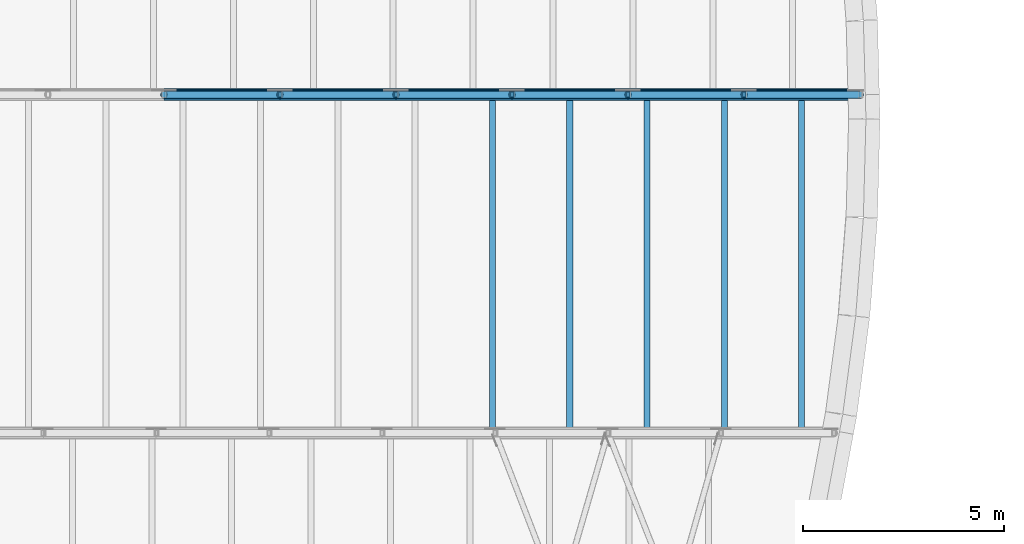
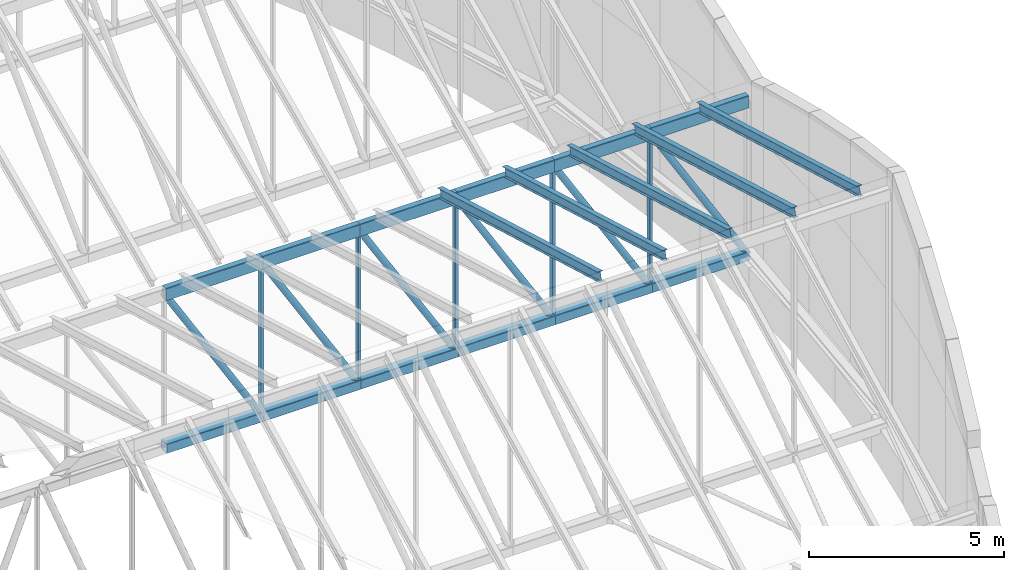
# One storey, part 25 of 68: 16 members, 12 beams.
"""IFC4 building model written with IfcOpenShell, lengths in metres."""

import ifcopenshell
import ifcopenshell.guid

model = None  # the IFC model being written
_history = None  # IfcOwnerHistory: only IFC2X3 demands one
_inside = {}  # id of a spatial element -> (the spatial element, [elements in it])
_under = {}  # id of a project, library or spatial element -> (it, [spatial elements below it])
_declared = {}  # id of a project -> (the project, [libraries it declares])
_typed = {}  # id of a type object -> (the type object, [elements of that type])
_made_of = {}  # id of a material, layer set ... -> (it, [elements and type objects made of it])


def new_model(schema):
    """Start an empty IFC model of exactly this schema.

    Asked for "IFC4X3", IfcOpenShell would pick the latest addendum, in which some entities
    have other attributes; the version numbers below select the first issue.
    IFC2X3 requires an IfcOwnerHistory on every rooted entity: one is made here for all.
    """
    global model, _history
    if schema == "IFC4X3":
        model = ifcopenshell.file(schema_version=(4, 3, 0, 0))
    else:
        model = ifcopenshell.file(schema=schema)
    _inside.clear()
    _under.clear()
    _declared.clear()
    _typed.clear()
    _made_of.clear()
    _history = None
    if model.schema == "IFC2X3":
        org = make("IfcOrganization", Name="unknown")
        user = make(
            "IfcPersonAndOrganization",
            ThePerson=make("IfcPerson", FamilyName="unknown"),
            TheOrganization=org,
        )
        app = make(
            "IfcApplication",
            ApplicationDeveloper=org,
            Version="unknown",
            ApplicationFullName="unknown",
            ApplicationIdentifier="unknown",
        )
        _history = make(
            "IfcOwnerHistory",
            OwningUser=user,
            OwningApplication=app,
            ChangeAction="ADDED",
            CreationDate=0,
        )
    return model


def make(cls, **values):
    """One entity of the class cls with the attributes given. An attribute that is None is left unset."""
    return model.create_entity(
        cls, **{name: value for name, value in values.items() if value is not None}
    )


def rooted(cls, **values):
    """An entity with a GlobalId (a new one), such as an element, a storey or a relation."""
    return make(cls, GlobalId=ifcopenshell.guid.new(), OwnerHistory=_history, **values)


def si_unit(unit_type, name, prefix=None):
    """IfcSIUnit, for example si_unit("LENGTHUNIT", "METRE", prefix="MILLI")."""
    return make("IfcSIUnit", UnitType=unit_type, Prefix=prefix, Name=name)


def assignment(units):
    """IfcUnitAssignment: the units of a project."""
    return None if units is None else make("IfcUnitAssignment", Units=units)


def point(xyz):
    """IfcCartesianPoint."""
    return None if xyz is None else make("IfcCartesianPoint", Coordinates=xyz)


def direction(xyz):
    """IfcDirection."""
    return None if xyz is None else make("IfcDirection", DirectionRatios=xyz)


def frame(location, z_axis=None, x_axis=None):
    """IfcAxis2Placement3D, a coordinate frame: its origin and axes. An axis left out is left unset."""
    return make(
        "IfcAxis2Placement3D",
        Location=point(location),
        Axis=direction(z_axis),
        RefDirection=direction(x_axis),
    )


def frame_2d(location, x_axis=None):
    """IfcAxis2Placement2D, a coordinate frame in the plane: its origin and x axis."""
    return make(
        "IfcAxis2Placement2D", Location=point(location), RefDirection=direction(x_axis)
    )


def origin():
    """The frame at (0, 0, 0) with its axes left unset."""
    return frame((0.0, 0.0, 0.0))


def origin_2d():
    """The frame at (0, 0) in the plane with its x axis left unset."""
    return frame_2d((0.0, 0.0))


def place(relative_to, where):
    """IfcLocalPlacement: puts the frame where relative to a parent placement (None: the world)."""
    return make(
        "IfcLocalPlacement", PlacementRelTo=relative_to, RelativePlacement=where
    )


def context(
    kind, dimensions, precision=None, world=None, true_north=None, identifier=None
):
    """IfcGeometricRepresentationContext, for example the 3D "Model" context."""
    return make(
        "IfcGeometricRepresentationContext",
        ContextIdentifier=identifier,
        ContextType=kind,
        CoordinateSpaceDimension=dimensions,
        Precision=precision,
        WorldCoordinateSystem=world,
        TrueNorth=true_north,
    )


def subcontext(parent, identifier, kind, view, scale=None):
    """IfcGeometricRepresentationSubContext, for example "Body" below "Model"."""
    return make(
        "IfcGeometricRepresentationSubContext",
        ContextIdentifier=identifier,
        ContextType=kind,
        ParentContext=parent,
        TargetScale=scale,
        TargetView=view,
    )


def project(units=None, contexts=None):
    """IfcProject with its units and contexts."""
    return rooted(
        "IfcProject",
        Name="project",
        RepresentationContexts=contexts,
        UnitsInContext=assignment(units),
    )


def spatial(cls, under=None, at=None, **own):
    """A site, building, storey or space (cls), placed at a placement, below another one or the project."""
    s = rooted(cls, ObjectPlacement=at, **own)
    if under is not None:
        _under.setdefault(under.id(), (under, []))[1].append(s)
    return s


def profile(cls, at=None, kind="AREA", **sizes):
    """A parametric profile (cls). Its sizes go by their IFC names, for example OverallWidth=200.0."""
    return make(cls, ProfileType=kind, Position=at, **sizes)


def hollow_rectangle(**sizes):
    """IfcRectangleHollowProfileDef."""
    return profile("IfcRectangleHollowProfileDef", **sizes)


def hollow_circle(**sizes):
    """IfcCircleHollowProfileDef."""
    return profile("IfcCircleHollowProfileDef", **sizes)


def i_section(**sizes):
    """IfcIShapeProfileDef."""
    return profile("IfcIShapeProfileDef", **sizes)


def extrude(swept, where, along, depth):
    """IfcExtrudedAreaSolid: the profile swept, set in the frame where, extruded along a direction by depth."""
    return make(
        "IfcExtrudedAreaSolid",
        SweptArea=swept,
        Position=where,
        ExtrudedDirection=direction(along),
        Depth=depth,
    )


def shape(context_of_items, identifier, shape_type, items):
    """IfcShapeRepresentation: the items that make up one representation, for example the "Body"."""
    return make(
        "IfcShapeRepresentation",
        ContextOfItems=context_of_items,
        RepresentationIdentifier=identifier,
        RepresentationType=shape_type,
        Items=items,
    )


def material(Name=None, Category=None):
    """IfcMaterial."""
    return make("IfcMaterial", Name=Name, Category=Category)


def material_profile(
    of_material, cross_section, Name=None, Category=None, Priority=None
):
    """IfcMaterialProfile: a cross section and its material."""
    return make(
        "IfcMaterialProfile",
        Name=Name,
        Material=of_material,
        Profile=cross_section,
        Priority=Priority,
        Category=Category,
    )


def profile_set(profiles, Name=None, composite=None):
    """IfcMaterialProfileSet."""
    return make(
        "IfcMaterialProfileSet",
        Name=Name,
        MaterialProfiles=profiles,
        CompositeProfile=composite,
    )


def made_of(thing, what):
    """Note that an element or type object is made of a material, layer set ...; save() writes the relation."""
    if what is not None:
        _made_of.setdefault(what.id(), (what, []))[1].append(thing)
    return thing


def type_object(cls, material=None, **own):
    """A type object (cls), such as IfcWallType, which elements share."""
    return made_of(rooted(cls, **own), material)


def element(
    cls,
    number,
    at=None,
    inside=None,
    cuts=None,
    type_object=None,
    material=None,
    context=None,
    identifier="Body",
    shape_type=None,
    held_by="IfcProductDefinitionShape",
    body=None,
    shapes=None,
    **own,
):
    """One element of the class cls, such as IfcWall. Its Tag is "e" and its number.

    at: its placement. inside: the storey or other place that contains it. cuts: it is an
    opening in that element (IfcRelVoidsElement). A single representation is given by context,
    identifier, shape_type and body (its items); several are given by shapes. held_by: the class
    of the entity that holds the representations. save() writes the other relations.
    """
    e = rooted(cls, Tag="e%d" % number, ObjectPlacement=at, **own)
    if body is not None:
        shapes = [shape(context, identifier, shape_type, body)]
    if shapes is not None:
        e.Representation = make(held_by, Representations=shapes)
    if inside is not None:
        _inside.setdefault(inside.id(), (inside, []))[1].append(e)
    if cuts is not None:
        rooted(
            "IfcRelVoidsElement", RelatingBuildingElement=cuts, RelatedOpeningElement=e
        )
    if type_object is not None:
        _typed.setdefault(type_object.id(), (type_object, []))[1].append(e)
    return made_of(e, material)


def aggregate(whole, parts):
    """IfcRelAggregates: a whole, such as a stair, and the parts it consists of."""
    return rooted("IfcRelAggregates", RelatingObject=whole, RelatedObjects=parts)


def save(model, path):
    """Write the relations noted so far, then the file.

    IfcRelAggregates (storeys below a building ...), IfcRelContainedInSpatialStructure (elements
    in a storey), IfcRelDefinesByType, IfcRelAssociatesMaterial and IfcRelDeclares: one each for
    every whole, place, type object, material and project.
    """
    for whole, parts in _under.values():
        aggregate(whole, parts)
    for where, things in _inside.values():
        rooted(
            "IfcRelContainedInSpatialStructure",
            RelatedElements=things,
            RelatingStructure=where,
        )
    for kind, things in _typed.values():
        rooted("IfcRelDefinesByType", RelatedObjects=things, RelatingType=kind)
    for what, things in _made_of.values():
        rooted("IfcRelAssociatesMaterial", RelatedObjects=things, RelatingMaterial=what)
    for by, libraries in _declared.values():
        rooted("IfcRelDeclares", RelatingContext=by, RelatedDefinitions=libraries)
    model.write(path)


model = new_model("IFC4")

# Units and contexts
model_context = context("Model", 3, precision=1e-05, world=origin(), true_north=direction((0.0, 1.0)))
body_context = subcontext(model_context, "Body", "Model", "MODEL_VIEW")
ifc_project = project(units=[si_unit("LENGTHUNIT", "METRE"), si_unit("AREAUNIT", "SQUARE_METRE"), si_unit("VOLUMEUNIT", "CUBIC_METRE"), si_unit("PLANEANGLEUNIT", "RADIAN"), si_unit("MASSUNIT", "GRAM", prefix="KILO")], contexts=[model_context])

# Site, building, storey
site_placement = place(None, origin())
site = spatial("IfcSite", under=ifc_project, at=site_placement, CompositionType="ELEMENT")
building_placement = place(site_placement, origin())
building = spatial("IfcBuilding", under=site, at=building_placement, Name="Larchfold Concert Hall", CompositionType="ELEMENT")
storey_placement = place(building_placement, frame((0.0, 0.0, 28.800048828125)))
storey = spatial("IfcBuildingStorey", under=building, at=storey_placement, Name="L06", CompositionType="ELEMENT", Elevation=28.800048828125)

# Members
ifc_material_1 = material(Name="Steel S355", Category="steel")
ifc_material_profile_1 = material_profile(ifc_material_1, i_section(OverallWidth=0.14990234375, OverallDepth=0.300048828125, WebThickness=0.007080078125, FlangeThickness=0.0107421875, FilletRadius=0.014892578125, at=origin_2d()))
ifc_profile_set_1 = profile_set([ifc_material_profile_1], Name="Steel S355")
member_type_1 = type_object("IfcMemberType", Name="Rafter IPE 300", PredefinedType="RAFTER", material=ifc_profile_set_1)
for number, where, z_axis, x_axis, name in (
    (1, (57.957275390625, 76.880126953125, 7.50634765625), (0.0, 0.961530397894, -0.274698551007), (-1.0, 0.0, 0.0), "Member RF0061"),
    (2, (59.876953125, 76.880126953125, 7.50634765625), (0.0, 0.961530397894, -0.274698551007), (-1.0, 0.0, 0.0), "Member RF0062"),
    (3, (61.796630859375, 76.880126953125, 7.50634765625), (0.0, 0.961530397894, -0.274698551007), (-1.0, 0.0, 0.0), "Member RF0063"),
    (4, (63.716064453125, 76.880126953125, 7.50634765625), (0.0, 0.961530397894, -0.274698551007), (-1.0, 0.0, 0.0), "Member RF0064"),
    (5, (65.6357421875, 76.880126953125, 7.50634765625), (0.0, 0.961530397894, -0.274698551007), (-1.0, 0.0, 0.0), "Member RF0065"),
):
    element("IfcMember", number, at=place(storey_placement, frame(where, z_axis=z_axis, x_axis=x_axis)), inside=storey, type_object=member_type_1, Name=name, PredefinedType="RAFTER", context=body_context, shape_type="SweptSolid", body=[
        extrude(i_section(OverallWidth=0.14990234375, OverallDepth=0.300048828125, WebThickness=0.007080078125, FlangeThickness=0.0107421875, FilletRadius=0.014892578125, at=origin_2d()), origin(), (0.0, 0.0, 1.0), 8.5693359375),
    ])

# Beams
ifc_material_2 = material(Name="Steel S355J2H", Category="steel")
ifc_material_profile_2 = material_profile(ifc_material_2, hollow_rectangle(XDim=0.199951171875, YDim=0.39990234375, WallThickness=0.012451171875, InnerFilletRadius=0.018798828125, OuterFilletRadius=0.03125, at=origin_2d()))
ifc_profile_set_2 = profile_set([ifc_material_profile_2], Name="Steel S355J2H")
beam_type_1 = type_object("IfcBeamType", Name="Truss chord RHS 400x200x12.5", PredefinedType="BEAM", material=ifc_profile_set_2)
beam_1_placement = place(storey_placement, frame((49.801513671875, 85.199951171875, 4.800048828125), z_axis=(1.0, 0.0, 0.0), x_axis=(0.0, 1.0, 0.0)))
element("IfcBeam", 6, at=beam_1_placement, inside=storey, type_object=beam_type_1, Name="Beam FT4T12", PredefinedType="BEAM", context=body_context, shape_type="SweptSolid", body=[
    extrude(hollow_rectangle(XDim=0.199951171875, YDim=0.39990234375, WallThickness=0.012451171875, InnerFilletRadius=0.018798828125, OuterFilletRadius=0.03125, at=origin_2d()), origin(), (0.0, 0.0, 1.0), 2.88037109375),
])
for number, where, z_axis, x_axis, name in (
    (7, (52.681884765625, 85.199951171875, 4.800048828125), (1.0, 0.0, 0.0), (0.0, 1.0, 0.0), "Beam FT4T13"),
    (8, (55.5625, 85.199951171875, 4.800048828125), (1.0, 0.0, 0.0), (0.0, 1.0, 0.0), "Beam FT4T14"),
    (9, (58.443115234375, 85.199951171875, 4.800048828125), (1.0, 0.0, 0.0), (0.0, 1.0, 0.0), "Beam FT4T15"),
):
    element("IfcBeam", number, at=place(storey_placement, frame(where, z_axis=z_axis, x_axis=x_axis)), inside=storey, type_object=beam_type_1, Name=name, PredefinedType="BEAM", context=body_context, shape_type="SweptSolid", body=[
        extrude(hollow_rectangle(XDim=0.199951171875, YDim=0.39990234375, WallThickness=0.012451171875, InnerFilletRadius=0.018798828125, OuterFilletRadius=0.03125, at=origin_2d()), origin(), (0.0, 0.0, 1.0), 2.880615234375),
    ])
beam_2_placement = place(storey_placement, frame((61.32373046875, 85.199951171875, 4.800048828125), z_axis=(1.0, 0.0, 0.0), x_axis=(0.0, 1.0, 0.0)))
element("IfcBeam", 10, at=beam_2_placement, inside=storey, type_object=beam_type_1, Name="Beam FT4T16", PredefinedType="BEAM", context=body_context, shape_type="SweptSolid", body=[
    extrude(hollow_rectangle(XDim=0.199951171875, YDim=0.39990234375, WallThickness=0.012451171875, InnerFilletRadius=0.018798828125, OuterFilletRadius=0.03125, at=origin_2d()), origin(), (0.0, 0.0, 1.0), 2.88037109375),
])
beam_3_placement = place(storey_placement, frame((64.2041015625, 85.199951171875, 4.800048828125), z_axis=(1.0, 0.0, 0.0), x_axis=(0.0, 1.0, 0.0)))
element("IfcBeam", 11, at=beam_3_placement, inside=storey, type_object=beam_type_1, Name="Beam FT4T17", PredefinedType="BEAM", context=body_context, shape_type="SweptSolid", body=[
    extrude(hollow_rectangle(XDim=0.199951171875, YDim=0.39990234375, WallThickness=0.012451171875, InnerFilletRadius=0.018798828125, OuterFilletRadius=0.03125, at=origin_2d()), origin(), (0.0, 0.0, 1.0), 2.880615234375),
])

# Members
ifc_material_3 = material(Name="Steel S355J2H", Category="steel")
ifc_material_profile_3 = material_profile(ifc_material_3, hollow_rectangle(XDim=0.10009765625, YDim=0.14990234375, WallThickness=0.008056640625, InnerFilletRadius=0.008056640625, OuterFilletRadius=0.01611328125, at=origin_2d()))
ifc_profile_set_3 = profile_set([ifc_material_profile_3], Name="Steel S355J2H")
member_type_2 = type_object("IfcMemberType", Name="Truss post RHS 150x100x8", PredefinedType="POST", material=ifc_profile_set_3)
for number, where, z_axis, x_axis, name in (
    (12, (52.681884765625, 85.199951171875, 4.800048828125), (0.0, 0.0, -1.0), (1.0, 0.0, 0.0), "Member FT4V13"),
    (13, (55.5625, 85.199951171875, 4.800048828125), (0.0, 0.0, -1.0), (1.0, 0.0, 0.0), "Member FT4V14"),
    (14, (58.443115234375, 85.199951171875, 4.800048828125), (0.0, 0.0, -1.0), (1.0, 0.0, 0.0), "Member FT4V15"),
    (15, (61.32373046875, 85.199951171875, 4.800048828125), (0.0, 0.0, -1.0), (1.0, 0.0, 0.0), "Member FT4V16"),
    (16, (64.2041015625, 85.199951171875, 4.800048828125), (0.0, 0.0, -1.0), (1.0, 0.0, 0.0), "Member FT4V17"),
):
    element("IfcMember", number, at=place(storey_placement, frame(where, z_axis=z_axis, x_axis=x_axis)), inside=storey, type_object=member_type_2, Name=name, PredefinedType="POST", context=body_context, shape_type="SweptSolid", body=[
        extrude(hollow_rectangle(XDim=0.10009765625, YDim=0.14990234375, WallThickness=0.008056640625, InnerFilletRadius=0.008056640625, OuterFilletRadius=0.01611328125, at=origin_2d()), origin(), (0.0, 0.0, 1.0), 4.800048828125),
    ])

# Beams
ifc_material_4 = material(Name="Steel S355J2H", Category="steel")
ifc_material_profile_4 = material_profile(ifc_material_4, hollow_rectangle(XDim=0.300048828125, YDim=0.300048828125, WallThickness=0.012451171875, InnerFilletRadius=0.018798828125, OuterFilletRadius=0.03125, at=origin_2d()))
ifc_profile_set_4 = profile_set([ifc_material_profile_4], Name="Steel S355J2H")
beam_type_2 = type_object("IfcBeamType", Name="Truss tie SHS 300x300x12.5", PredefinedType="BEAM", material=ifc_profile_set_4)
beam_4_placement = place(storey_placement, frame((49.801513671875, 85.199951171875, 0.0), z_axis=(1.0, 0.0, 0.0), x_axis=(0.0, 1.0, 0.0)))
element("IfcBeam", 17, at=beam_4_placement, inside=storey, type_object=beam_type_2, Name="Beam FT4B12", PredefinedType="BEAM", context=body_context, shape_type="SweptSolid", body=[
    extrude(hollow_rectangle(XDim=0.300048828125, YDim=0.300048828125, WallThickness=0.012451171875, InnerFilletRadius=0.018798828125, OuterFilletRadius=0.03125, at=origin_2d()), origin(), (0.0, 0.0, 1.0), 2.88037109375),
])
for number, where, z_axis, x_axis, name in (
    (18, (52.681884765625, 85.199951171875, 0.0), (1.0, 0.0, 0.0), (0.0, 1.0, 0.0), "Beam FT4B13"),
    (19, (55.5625, 85.199951171875, 0.0), (1.0, 0.0, 0.0), (0.0, 1.0, 0.0), "Beam FT4B14"),
    (20, (58.443115234375, 85.199951171875, 0.0), (1.0, 0.0, 0.0), (0.0, 1.0, 0.0), "Beam FT4B15"),
):
    element("IfcBeam", number, at=place(storey_placement, frame(where, z_axis=z_axis, x_axis=x_axis)), inside=storey, type_object=beam_type_2, Name=name, PredefinedType="BEAM", context=body_context, shape_type="SweptSolid", body=[
        extrude(hollow_rectangle(XDim=0.300048828125, YDim=0.300048828125, WallThickness=0.012451171875, InnerFilletRadius=0.018798828125, OuterFilletRadius=0.03125, at=origin_2d()), origin(), (0.0, 0.0, 1.0), 2.880615234375),
    ])
beam_5_placement = place(storey_placement, frame((61.32373046875, 85.199951171875, 0.0), z_axis=(1.0, 0.0, 0.0), x_axis=(0.0, 1.0, 0.0)))
element("IfcBeam", 21, at=beam_5_placement, inside=storey, type_object=beam_type_2, Name="Beam FT4B16", PredefinedType="BEAM", context=body_context, shape_type="SweptSolid", body=[
    extrude(hollow_rectangle(XDim=0.300048828125, YDim=0.300048828125, WallThickness=0.012451171875, InnerFilletRadius=0.018798828125, OuterFilletRadius=0.03125, at=origin_2d()), origin(), (0.0, 0.0, 1.0), 2.88037109375),
])
beam_6_placement = place(storey_placement, frame((64.2041015625, 85.199951171875, 0.0), z_axis=(1.0, 0.0, 0.0), x_axis=(0.0, 1.0, 0.0)))
element("IfcBeam", 22, at=beam_6_placement, inside=storey, type_object=beam_type_2, Name="Beam FT4B17", PredefinedType="BEAM", context=body_context, shape_type="SweptSolid", body=[
    extrude(hollow_rectangle(XDim=0.300048828125, YDim=0.300048828125, WallThickness=0.012451171875, InnerFilletRadius=0.018798828125, OuterFilletRadius=0.03125, at=origin_2d()), origin(), (0.0, 0.0, 1.0), 2.880615234375),
])

# Members
ifc_material_5 = material(Name="Steel S355J2H", Category="steel")
ifc_material_profile_5 = material_profile(ifc_material_5, hollow_circle(Radius=0.096923828125, WallThickness=0.008056640625, at=origin_2d()))
ifc_profile_set_5 = profile_set([ifc_material_profile_5], Name="Steel S355J2H")
member_type_3 = type_object("IfcMemberType", Name="Truss web CHS 193.7x8", PredefinedType="BRACE", material=ifc_profile_set_5)
member_1_placement = place(storey_placement, frame((49.801513671875, 85.199951171875, 4.800048828125), z_axis=(0.514540649976, 0.0, -0.857465987385), x_axis=(0.0, 1.0, 0.0)))
element("IfcMember", 23, at=member_1_placement, inside=storey, type_object=member_type_3, Name="Member FT4D12", PredefinedType="BRACE", context=body_context, shape_type="SweptSolid", body=[
    extrude(hollow_circle(Radius=0.096923828125, WallThickness=0.008056640625, at=origin_2d()), origin(), (0.0, 0.0, 1.0), 5.597900390625),
])
for number, where, z_axis, x_axis, name in (
    (24, (52.681884765625, 85.199951171875, 4.800048828125), (0.51457271492, 0.0, -0.85744674532), (0.0, 1.0, 0.0), "Member FT4D13"),
    (25, (55.5625, 85.199951171875, 4.800048828125), (0.51457271492, 0.0, -0.85744674532), (0.0, 1.0, 0.0), "Member FT4D14"),
    (26, (58.443115234375, 85.199951171875, 4.800048828125), (0.51457271492, 0.0, -0.85744674532), (0.0, 1.0, 0.0), "Member FT4D15"),
):
    element("IfcMember", number, at=place(storey_placement, frame(where, z_axis=z_axis, x_axis=x_axis)), inside=storey, type_object=member_type_3, Name=name, PredefinedType="BRACE", context=body_context, shape_type="SweptSolid", body=[
        extrude(hollow_circle(Radius=0.096923828125, WallThickness=0.008056640625, at=origin_2d()), origin(), (0.0, 0.0, 1.0), 5.59814453125),
    ])
member_2_placement = place(storey_placement, frame((61.32373046875, 85.199951171875, 4.800048828125), z_axis=(0.514540649976, 0.0, -0.857465987385), x_axis=(0.0, 1.0, 0.0)))
element("IfcMember", 27, at=member_2_placement, inside=storey, type_object=member_type_3, Name="Member FT4D16", PredefinedType="BRACE", context=body_context, shape_type="SweptSolid", body=[
    extrude(hollow_circle(Radius=0.096923828125, WallThickness=0.008056640625, at=origin_2d()), origin(), (0.0, 0.0, 1.0), 5.597900390625),
])
member_3_placement = place(storey_placement, frame((64.2041015625, 85.199951171875, 4.800048828125), z_axis=(0.51457271492, 0.0, -0.85744674532), x_axis=(0.0, 1.0, 0.0)))
element("IfcMember", 28, at=member_3_placement, inside=storey, type_object=member_type_3, Name="Member FT4D17", PredefinedType="BRACE", context=body_context, shape_type="SweptSolid", body=[
    extrude(hollow_circle(Radius=0.096923828125, WallThickness=0.008056640625, at=origin_2d()), origin(), (0.0, 0.0, 1.0), 5.59814453125),
])

save(model, "model.ifc")
